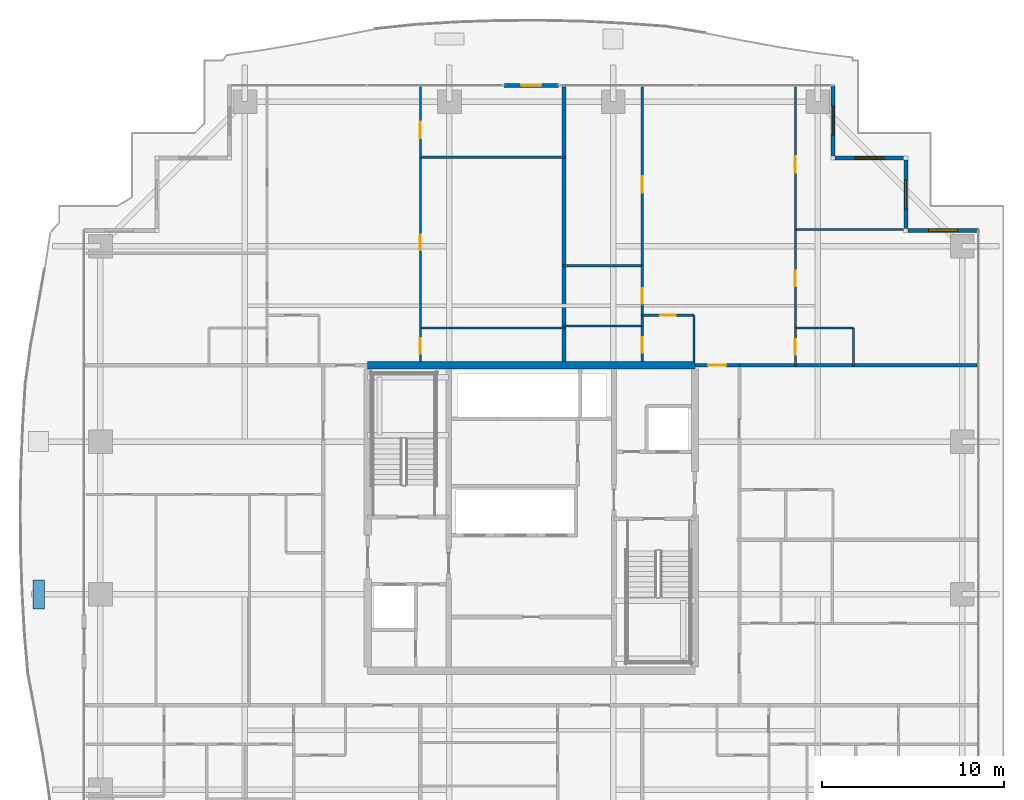
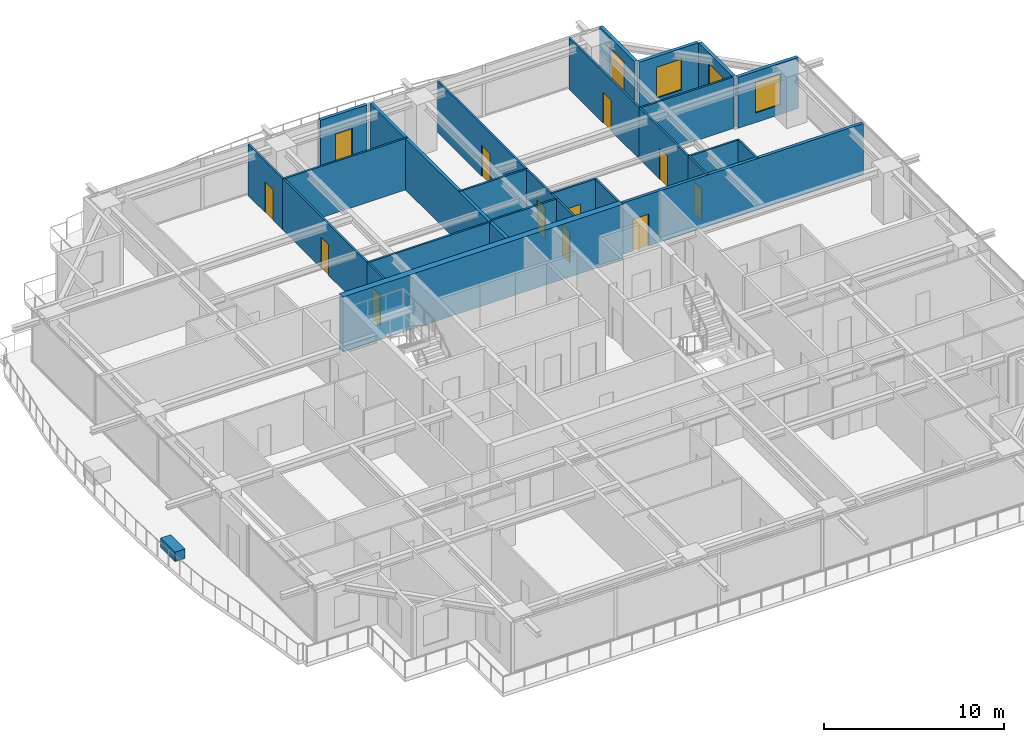
# One storey, part 31 of 38: 27 walls, 12 doors, 4 windows, 1 discrete accessory, 16 openings.
"""IFC4 building model written with IfcOpenShell, lengths in metres."""

from ifc_helpers import new_model, si_unit, direction, frame, frame_2d, origin, origin_2d, place, context, subcontext, project, spatial, rectangle, extrude, source, transform, mapped, material, layer, layer_set, type_object, element, fill, save


model = new_model("IFC4")

# Units and contexts
model_context = context("Model", 3, precision=1e-05, world=origin(), true_north=direction((0.0, 1.0)))
body_context = subcontext(model_context, "Body", "Model", "MODEL_VIEW")
ifc_project = project(units=[si_unit("LENGTHUNIT", "METRE"), si_unit("AREAUNIT", "SQUARE_METRE"), si_unit("VOLUMEUNIT", "CUBIC_METRE"), si_unit("PLANEANGLEUNIT", "RADIAN"), si_unit("MASSUNIT", "GRAM", prefix="KILO")], contexts=[model_context])

# Site, building, storey
site_placement = place(None, origin())
site = spatial("IfcSite", under=ifc_project, at=site_placement, CompositionType="ELEMENT")
building_placement = place(site_placement, origin())
building = spatial("IfcBuilding", under=site, at=building_placement, Name="Serunith Strait Residences", CompositionType="ELEMENT")
storey_placement = place(building_placement, frame((0.0, 0.0, 183.89990234375)))
storey = spatial("IfcBuildingStorey", under=building, at=storey_placement, Name="L46", CompositionType="ELEMENT", Elevation=183.89990234375)

# Wall, opening, window
ifc_material_1 = material(Name="Pale-Champagne Aluminium Insulated Panel", Category="aluminium")
ifc_layer_1 = layer(ifc_material_1, 0.219970703125, Name="Pale-Champagne Aluminium Insulated Panel")
ifc_layer_set_1 = layer_set([ifc_layer_1], Name="Pale-Champagne Aluminium Insulated Panel")
wall_type_1 = type_object("IfcWallType", Name="EW-ALUM-220", PredefinedType="ELEMENTEDWALL", material=ifc_layer_set_1)
wall_1_placement = place(storey_placement, frame((57.0, 41.0, 0.0), z_axis=(0.0, 0.0, 1.0), x_axis=(-1.0, 0.0, 0.0)))
wall_1 = element("IfcWall", 1, at=wall_1_placement, inside=storey, type_object=wall_type_1, Name="L46 Girih Serrated Corner Wall 07", PredefinedType="ELEMENTEDWALL", context=body_context, shape_type="SweptSolid", body=[
    extrude(rectangle(XDim=3.889892578125, YDim=0.219970703125, at=frame_2d((1.94482421875, 0.0))), origin(), (0.0, 0.0, 1.0), 3.47509765625),
])
opening_1_placement = place(wall_1_placement, frame((1.14501953125, 0.0, 0.64990234375)))
opening_1 = element("IfcOpeningElement", 2, at=opening_1_placement, cuts=wall_1, Name="Opening W-02", PredefinedType="OPENING", context=body_context, shape_type="SweptSolid", body=[
    extrude(rectangle(XDim=1.60009765625, YDim=2.10009765625, at=frame_2d((0.800048828125, 1.050048828125))), frame((0.0, 0.1201171875, 0.0), z_axis=(0.0, -1.0, 0.0), x_axis=(1.0, 0.0, 0.0)), (0.0, 0.0, 1.0), 0.239990234375),
])
ifc_material_2 = material(Name="Ceramic-Fritted Operable Aluminium Window Glass", Category="aluminium")
window_type = type_object("IfcWindowType", Name="WIN-C2", PartitioningType="DOUBLE_PANEL_VERTICAL", PredefinedType="WINDOW", material=ifc_material_2)
shared_shape_1 = source(origin(), body_context, "Body", "SweptSolid", [
    extrude(rectangle(XDim=1.60009765625, YDim=2.10009765625, at=frame_2d((0.800048828125, 1.050048828125))), frame((0.0, 0.030029296875, 0.0), z_axis=(0.0, -1.0, 0.0), x_axis=(1.0, 0.0, 0.0)), (0.0, 0.0, 1.0), 0.06005859375),
])
window_1_placement = place(opening_1_placement, origin())
window_1 = element("IfcWindow", 3, at=window_1_placement, inside=storey, type_object=window_type, Name="L46 Corner Operable Fritted Window 07", OverallHeight=2.10009765625, OverallWidth=1.60009765625, PartitioningType="SINGLE_PANEL", PredefinedType="WINDOW", context=body_context, shape_type="MappedRepresentation", body=[
    mapped(shared_shape_1, transform((0.0, 0.0, 0.0), scale=1.0)),
])
fill(opening_1, window_1)

wall_2_placement = place(storey_placement, frame((53.0, 41.110107421875, 0.0), z_axis=(0.0, 0.0, 1.0), x_axis=(0.0, 1.0, 0.0)))
wall_2 = element("IfcWall", 4, at=wall_2_placement, inside=storey, type_object=wall_type_1, Name="L46 Girih Serrated Corner Wall 08", PredefinedType="ELEMENTEDWALL", context=body_context, shape_type="SweptSolid", body=[
    extrude(rectangle(XDim=3.77978515625, YDim=0.219970703125, at=frame_2d((1.889892578125, 0.0))), origin(), (0.0, 0.0, 1.0), 3.47509765625),
])
opening_2_placement = place(wall_2_placement, frame((1.090087890625, 0.0, 0.64990234375)))
opening_2 = element("IfcOpeningElement", 5, at=opening_2_placement, cuts=wall_2, Name="Opening W-02", PredefinedType="OPENING", context=body_context, shape_type="SweptSolid", body=[
    extrude(rectangle(XDim=1.60009765625, YDim=2.10009765625, at=frame_2d((0.800048828125, 1.050048828125))), frame((0.0, 0.1201171875, 0.0), z_axis=(0.0, -1.0, 0.0), x_axis=(1.0, 0.0, 0.0)), (0.0, 0.0, 1.0), 0.239990234375),
])
window_2_placement = place(opening_2_placement, origin())
window_2 = element("IfcWindow", 6, at=window_2_placement, inside=storey, type_object=window_type, Name="L46 Corner Operable Fritted Window 08", OverallHeight=2.10009765625, OverallWidth=1.60009765625, PartitioningType="SINGLE_PANEL", PredefinedType="WINDOW", context=body_context, shape_type="MappedRepresentation", body=[
    mapped(shared_shape_1, transform((0.0, 0.0, 0.0), scale=1.0)),
])
fill(opening_2, window_2)

wall_3_placement = place(storey_placement, frame((52.889892578125, 45.0, 0.0), z_axis=(0.0, 0.0, 1.0), x_axis=(-1.0, 0.0, 0.0)))
wall_3 = element("IfcWall", 7, at=wall_3_placement, inside=storey, type_object=wall_type_1, Name="L46 Girih Serrated Corner Wall 09", PredefinedType="ELEMENTEDWALL", context=body_context, shape_type="SweptSolid", body=[
    extrude(rectangle(XDim=3.77978515625, YDim=0.219970703125, at=frame_2d((1.889892578125, 0.0))), origin(), (0.0, 0.0, 1.0), 3.47509765625),
])
opening_3_placement = place(wall_3_placement, frame((1.090087890625, 0.0, 0.64990234375)))
opening_3 = element("IfcOpeningElement", 8, at=opening_3_placement, cuts=wall_3, Name="Opening W-02", PredefinedType="OPENING", context=body_context, shape_type="SweptSolid", body=[
    extrude(rectangle(XDim=1.60009765625, YDim=2.10009765625, at=frame_2d((0.800048828125, 1.050048828125))), frame((0.0, 0.1201171875, 0.0), z_axis=(0.0, -1.0, 0.0), x_axis=(1.0, 0.0, 0.0)), (0.0, 0.0, 1.0), 0.239990234375),
])
window_3_placement = place(opening_3_placement, origin())
window_3 = element("IfcWindow", 9, at=window_3_placement, inside=storey, type_object=window_type, Name="L46 Corner Operable Fritted Window 09", OverallHeight=2.10009765625, OverallWidth=1.60009765625, PartitioningType="SINGLE_PANEL", PredefinedType="WINDOW", context=body_context, shape_type="MappedRepresentation", body=[
    mapped(shared_shape_1, transform((0.0, 0.0, 0.0), scale=1.0)),
])
fill(opening_3, window_3)

wall_4_placement = place(storey_placement, frame((49.0, 45.110107421875, 0.0), z_axis=(0.0, 0.0, 1.0), x_axis=(0.0, 1.0, 0.0)))
wall_4 = element("IfcWall", 10, at=wall_4_placement, inside=storey, type_object=wall_type_1, Name="L46 Girih Serrated Corner Wall 10", PredefinedType="ELEMENTEDWALL", context=body_context, shape_type="SweptSolid", body=[
    extrude(rectangle(XDim=3.889892578125, YDim=0.219970703125, at=frame_2d((1.94482421875, 0.0))), origin(), (0.0, 0.0, 1.0), 3.47509765625),
])
opening_4_placement = place(wall_4_placement, frame((1.14501953125, 0.0, 0.64990234375)))
opening_4 = element("IfcOpeningElement", 11, at=opening_4_placement, cuts=wall_4, Name="Opening W-02", PredefinedType="OPENING", context=body_context, shape_type="SweptSolid", body=[
    extrude(rectangle(XDim=1.60009765625, YDim=2.10009765625, at=frame_2d((0.800048828125, 1.050048828125))), frame((0.0, 0.1201171875, 0.0), z_axis=(0.0, -1.0, 0.0), x_axis=(1.0, 0.0, 0.0)), (0.0, 0.0, 1.0), 0.239990234375),
])
window_4_placement = place(opening_4_placement, origin())
window_4 = element("IfcWindow", 12, at=window_4_placement, inside=storey, type_object=window_type, Name="L46 Corner Operable Fritted Window 10", OverallHeight=2.10009765625, OverallWidth=1.60009765625, PartitioningType="SINGLE_PANEL", PredefinedType="WINDOW", context=body_context, shape_type="MappedRepresentation", body=[
    mapped(shared_shape_1, transform((0.0, 0.0, 0.0), scale=1.0)),
])
fill(opening_4, window_4)

# Wall, opening, door
wall_5_placement = place(storey_placement, frame((33.89990234375, 49.0, 0.0), z_axis=(0.0, 0.0, 1.0), x_axis=(-1.0, 0.0, 0.0)))
wall_5 = element("IfcWall", 13, at=wall_5_placement, inside=storey, type_object=wall_type_1, Name="L46 N Facade Pier Wall", PredefinedType="ELEMENTEDWALL", context=body_context, shape_type="SweptSolid", body=[
    extrude(rectangle(XDim=3.0, YDim=0.219970703125, at=frame_2d((1.5, 0.0))), origin(), (0.0, 0.0, 1.0), 3.47509765625),
])
opening_5_placement = place(wall_5_placement, frame((0.949951171875, 0.0, 0.0)))
opening_5 = element("IfcOpeningElement", 14, at=opening_5_placement, cuts=wall_5, Name="Opening ED-03", PredefinedType="OPENING", context=body_context, shape_type="SweptSolid", body=[
    extrude(rectangle(XDim=1.10009765625, YDim=2.199951171875, at=frame_2d((0.550048828125, 1.10009765625))), frame((0.0, 0.1201171875, 0.0), z_axis=(0.0, -1.0, 0.0), x_axis=(1.0, 0.0, 0.0)), (0.0, 0.0, 1.0), 0.239990234375),
])
ifc_material_3 = material(Name="Thermally-Broken Aluminium Glazed Balcony Door", Category="aluminium")
door_type_1 = type_object("IfcDoorType", Name="ED-BALC-1100", OperationType="NOTDEFINED", PredefinedType="DOOR", material=ifc_material_3)
shared_shape_2 = source(origin(), body_context, "Body", "SweptSolid", [
    extrude(rectangle(XDim=1.10009765625, YDim=2.199951171875, at=frame_2d((0.550048828125, 1.10009765625))), frame((0.0, 0.02490234375, 0.0), z_axis=(0.0, -1.0, 0.0), x_axis=(1.0, 0.0, 0.0)), (0.0, 0.0, 1.0), 0.050048828125),
])
door_1_placement = place(opening_5_placement, origin())
door_1 = element("IfcDoor", 15, at=door_1_placement, inside=storey, type_object=door_type_1, Name="L46 N Vertical-Forest Balcony Door", OperationType="SINGLE_SWING_RIGHT", OverallHeight=2.199951171875, OverallWidth=1.10009765625, PredefinedType="DOOR", context=body_context, shape_type="MappedRepresentation", body=[
    mapped(shared_shape_2, transform((0.0, 0.0, 0.0), scale=1.0)),
])
fill(opening_5, door_1)

ifc_material_4 = material(Name="Fire-rated acoustic gypsum partition")
ifc_layer_2 = layer(ifc_material_4, 0.179931640625, Name="Fire-rated acoustic gypsum partition")
ifc_layer_set_2 = layer_set([ifc_layer_2], Name="Fire-rated acoustic gypsum partition")
wall_type_2 = type_object("IfcWallType", Name="IW-CORR-180", PredefinedType="PARTITIONING", material=ifc_layer_set_2)
wall_6_placement = place(storey_placement, frame((41.402099609375, 33.60009765625, 0.0), z_axis=(0.0, 0.0, 1.0), x_axis=(1.0, 0.0, 0.0)))
wall_6 = element("IfcWall", 16, at=wall_6_placement, inside=storey, type_object=wall_type_2, Name="L46 Partition Wall 027", PredefinedType="PARTITIONING", context=body_context, shape_type="SweptSolid", body=[
    extrude(rectangle(XDim=2.44580078125, YDim=0.179931640625, at=frame_2d((1.222900390625, 0.0))), origin(), (0.0, 0.0, 1.0), 3.489990234375),
])
opening_6_placement = place(wall_6_placement, frame((0.722900390625, 0.0, 0.0)))
opening_6 = element("IfcOpeningElement", 17, at=opening_6_placement, cuts=wall_6, Name="Opening D-APT1000", PredefinedType="OPENING", context=body_context, shape_type="SweptSolid", body=[
    extrude(rectangle(XDim=1.0, YDim=2.14990234375, at=frame_2d((0.5, 1.074951171875))), frame((0.0, 0.10009765625, 0.0), z_axis=(0.0, -1.0, 0.0), x_axis=(1.0, 0.0, 0.0)), (0.0, 0.0, 1.0), 0.199951171875),
])
ifc_material_5 = material(Name="Solid timber engineered fire door", Category="wood")
door_type_2 = type_object("IfcDoorType", Name="ID-APT-1000", OperationType="NOTDEFINED", PredefinedType="DOOR", material=ifc_material_5)
shared_shape_3 = source(origin(), body_context, "Body", "SweptSolid", [
    extrude(rectangle(XDim=1.0, YDim=2.14990234375, at=frame_2d((0.5, 1.074951171875))), frame((0.0, 0.02490234375, 0.0), z_axis=(0.0, -1.0, 0.0), x_axis=(1.0, 0.0, 0.0)), (0.0, 0.0, 1.0), 0.050048828125),
])
door_2_placement = place(opening_6_placement, origin())
door_2 = element("IfcDoor", 18, at=door_2_placement, inside=storey, type_object=door_type_2, Name="L46 Unit 05 Entrance Door", OperationType="SINGLE_SWING_RIGHT", OverallHeight=2.14990234375, OverallWidth=1.0, PredefinedType="DOOR", context=body_context, shape_type="MappedRepresentation", body=[
    mapped(shared_shape_3, transform((0.0, 0.0, 0.0), scale=1.0)),
])
fill(opening_6, door_2)

ifc_material_6 = material(Name="Lightweight steel-stud gypsum partition", Category="steel")
ifc_layer_3 = layer(ifc_material_6, 0.1201171875, Name="Lightweight steel-stud gypsum partition")
ifc_layer_set_3 = layer_set([ifc_layer_3], Name="Lightweight steel-stud gypsum partition")
wall_type_3 = type_object("IfcWallType", Name="IW-PART-120", PredefinedType="PARTITIONING", material=ifc_layer_set_3)
wall_7_placement = place(storey_placement, frame((26.300048828125, 48.905029296875, 0.0), z_axis=(0.0, 0.0, 1.0), x_axis=(0.0, -1.0, 0.0)))
wall_7 = element("IfcWall", 19, at=wall_7_placement, inside=storey, type_object=wall_type_3, Name="L46 Partition Wall 073", PredefinedType="PARTITIONING", context=body_context, shape_type="SweptSolid", body=[
    extrude(rectangle(XDim=3.867919921875, YDim=0.1201171875, at=frame_2d((1.93408203125, 0.0))), origin(), (0.0, 0.0, 1.0), 3.489990234375),
])
opening_7_placement = place(wall_7_placement, frame((1.912109375, 0.0, 0.0)))
opening_7 = element("IfcOpeningElement", 20, at=opening_7_placement, cuts=wall_7, Name="Opening D-RM900", PredefinedType="OPENING", context=body_context, shape_type="SweptSolid", body=[
    extrude(rectangle(XDim=0.89990234375, YDim=2.10009765625, at=frame_2d((0.449951171875, 1.050048828125))), frame((0.0, 0.070068359375, 0.0), z_axis=(0.0, -1.0, 0.0), x_axis=(1.0, 0.0, 0.0)), (0.0, 0.0, 1.0), 0.14013671875),
])
ifc_material_7 = material(Name="Engineered timber flush bedroom door", Category="wood")
door_type_3 = type_object("IfcDoorType", Name="ID-ROOM-900", OperationType="NOTDEFINED", PredefinedType="DOOR", material=ifc_material_7)
shared_shape_4 = source(origin(), body_context, "Body", "SweptSolid", [
    extrude(rectangle(XDim=0.89990234375, YDim=2.10009765625, at=frame_2d((0.449951171875, 1.050048828125))), frame((0.0, 0.02490234375, 0.0), z_axis=(0.0, -1.0, 0.0), x_axis=(1.0, 0.0, 0.0)), (0.0, 0.0, 1.0), 0.050048828125),
])
door_3_placement = place(opening_7_placement, origin())
door_3 = element("IfcDoor", 21, at=door_3_placement, inside=storey, type_object=door_type_3, Name="L46 Bedroom 2 4604 Door", OperationType="SINGLE_SWING_LEFT", OverallHeight=2.10009765625, OverallWidth=0.89990234375, PredefinedType="DOOR", context=body_context, shape_type="MappedRepresentation", body=[
    mapped(shared_shape_4, transform((0.0, 0.0, 0.0), scale=1.0)),
])
fill(opening_7, door_3)

# Walls
for number, where, z_axis, x_axis, name in (
    (22, (26.300048828125, 45.037109375, 0.0), (0.0, 0.0, 1.0), (1.0, 0.0, 0.0), "L46 Partition Wall 074"),
    (23, (26.300048828125, 35.64990234375, 0.0), (0.0, 0.0, 1.0), (1.0, 0.0, 0.0), "L46 Partition Wall 075"),
):
    element("IfcWall", number, at=place(storey_placement, frame(where, z_axis=z_axis, x_axis=x_axis)), inside=storey, type_object=wall_type_3, Name=name, PredefinedType="PARTITIONING", context=body_context, shape_type="SweptSolid", body=[
        extrude(rectangle(XDim=7.9599609375, YDim=0.1201171875, at=frame_2d((3.97998046875, 0.0))), origin(), (0.0, 0.0, 1.0), 3.489990234375),
    ])

# Wall, opening, door
wall_8_placement = place(storey_placement, frame((26.300048828125, 45.034912109375, 0.0), z_axis=(0.0, 0.0, 1.0), x_axis=(0.0, -1.0, 0.0)))
wall_8 = element("IfcWall", 24, at=wall_8_placement, inside=storey, type_object=wall_type_3, Name="L46 Partition Wall 076", PredefinedType="PARTITIONING", context=body_context, shape_type="SweptSolid", body=[
    extrude(rectangle(XDim=9.385009765625, YDim=0.1201171875, at=frame_2d((4.6923828125, 0.0))), origin(), (0.0, 0.0, 1.0), 3.489990234375),
])
opening_8_placement = place(wall_8_placement, frame((4.26708984375, 0.0, 0.0)))
opening_8 = element("IfcOpeningElement", 25, at=opening_8_placement, cuts=wall_8, Name="Opening D-RM850", PredefinedType="OPENING", context=body_context, shape_type="SweptSolid", body=[
    extrude(rectangle(XDim=0.85009765625, YDim=2.10009765625, at=frame_2d((0.425048828125, 1.050048828125))), frame((0.0, 0.070068359375, 0.0), z_axis=(0.0, -1.0, 0.0), x_axis=(1.0, 0.0, 0.0)), (0.0, 0.0, 1.0), 0.14013671875),
])
ifc_material_8 = material(Name="Engineered timber flush study and kitchen door", Category="wood")
door_type_4 = type_object("IfcDoorType", Name="ID-ROOM-850", OperationType="NOTDEFINED", PredefinedType="DOOR", material=ifc_material_8)
shared_shape_5 = source(origin(), body_context, "Body", "SweptSolid", [
    extrude(rectangle(XDim=0.85009765625, YDim=2.10009765625, at=frame_2d((0.425048828125, 1.050048828125))), frame((0.0, 0.02490234375, 0.0), z_axis=(0.0, -1.0, 0.0), x_axis=(1.0, 0.0, 0.0)), (0.0, 0.0, 1.0), 0.050048828125),
])
door_4_placement = place(opening_8_placement, origin())
door_4 = element("IfcDoor", 26, at=door_4_placement, inside=storey, type_object=door_type_4, Name="L46 Walk-in Wardrobe 4604 Door", OperationType="SINGLE_SWING_RIGHT", OverallHeight=2.10009765625, OverallWidth=0.85009765625, PredefinedType="DOOR", context=body_context, shape_type="MappedRepresentation", body=[
    mapped(shared_shape_5, transform((0.0, 0.0, 0.0), scale=1.0)),
])
fill(opening_8, door_4)

wall_9_placement = place(storey_placement, frame((26.300048828125, 35.64794921875, 0.0), z_axis=(0.0, 0.0, 1.0), x_axis=(0.0, -1.0, 0.0)))
wall_9 = element("IfcWall", 27, at=wall_9_placement, inside=storey, type_object=wall_type_3, Name="L46 Partition Wall 077", PredefinedType="PARTITIONING", context=body_context, shape_type="SweptSolid", body=[
    extrude(rectangle(XDim=1.847900390625, YDim=0.1201171875, at=frame_2d((0.923828125, 0.0))), origin(), (0.0, 0.0, 1.0), 3.489990234375),
])
opening_9_placement = place(wall_9_placement, frame((0.569091796875, 0.0, 0.0)))
opening_9 = element("IfcOpeningElement", 28, at=opening_9_placement, cuts=wall_9, Name="Opening D-BTH850", PredefinedType="OPENING", context=body_context, shape_type="SweptSolid", body=[
    extrude(rectangle(XDim=0.85009765625, YDim=2.10009765625, at=frame_2d((0.425048828125, 1.050048828125))), frame((0.0, 0.070068359375, 0.0), z_axis=(0.0, -1.0, 0.0), x_axis=(1.0, 0.0, 0.0)), (0.0, 0.0, 1.0), 0.14013671875),
])
ifc_material_9 = material(Name="Moisture-resistant timber bathroom door", Category="wood")
door_type_5 = type_object("IfcDoorType", Name="ID-BATH-850", OperationType="NOTDEFINED", PredefinedType="DOOR", material=ifc_material_9)
door_5_placement = place(opening_9_placement, origin())
door_5 = element("IfcDoor", 29, at=door_5_placement, inside=storey, type_object=door_type_5, Name="L46 Bathroom 4604 Door", OperationType="SINGLE_SWING_LEFT", OverallHeight=2.10009765625, OverallWidth=0.85009765625, PredefinedType="DOOR", context=body_context, shape_type="MappedRepresentation", body=[
    mapped(shared_shape_5, transform((0.0, 0.0, 0.0), scale=1.0)),
])
fill(opening_9, door_5)

wall_10_placement = place(storey_placement, frame((38.5, 36.35009765625, 0.0), z_axis=(0.0, 0.0, 1.0), x_axis=(1.0, 0.0, 0.0)))
wall_10 = element("IfcWall", 30, at=wall_10_placement, inside=storey, type_object=wall_type_3, Name="L46 Partition Wall 078", PredefinedType="PARTITIONING", context=body_context, shape_type="SweptSolid", body=[
    extrude(rectangle(XDim=2.85009765625, YDim=0.1201171875, at=frame_2d((1.425048828125, 0.0))), origin(), (0.0, 0.0, 1.0), 3.489990234375),
])
opening_10_placement = place(wall_10_placement, frame((1.0, 0.0, 0.0)))
opening_10 = element("IfcOpeningElement", 31, at=opening_10_placement, cuts=wall_10, Name="Opening D-RM850", PredefinedType="OPENING", context=body_context, shape_type="SweptSolid", body=[
    extrude(rectangle(XDim=0.85009765625, YDim=2.10009765625, at=frame_2d((0.425048828125, 1.050048828125))), frame((0.0, 0.070068359375, 0.0), z_axis=(0.0, -1.0, 0.0), x_axis=(1.0, 0.0, 0.0)), (0.0, 0.0, 1.0), 0.14013671875),
])
door_6_placement = place(opening_10_placement, origin())
door_6 = element("IfcDoor", 32, at=door_6_placement, inside=storey, type_object=door_type_4, Name="L46 Kitchen 4605 Door", OperationType="SINGLE_SWING_RIGHT", OverallHeight=2.10009765625, OverallWidth=0.85009765625, PredefinedType="DOOR", context=body_context, shape_type="MappedRepresentation", body=[
    mapped(shared_shape_5, transform((0.0, 0.0, 0.0), scale=1.0)),
])
fill(opening_10, door_6)

# Wall
wall_11_placement = place(storey_placement, frame((41.35009765625, 36.35009765625, 0.0), z_axis=(0.0, 0.0, 1.0), x_axis=(0.0, -1.0, 0.0)))
element("IfcWall", 33, at=wall_11_placement, inside=storey, type_object=wall_type_3, Name="L46 Partition Wall 079", PredefinedType="PARTITIONING", context=body_context, shape_type="SweptSolid", body=[
    extrude(rectangle(XDim=2.550048828125, YDim=0.1201171875, at=frame_2d((1.27490234375, 0.0))), origin(), (0.0, 0.0, 1.0), 3.489990234375),
])

# Wall, opening, door
wall_12_placement = place(storey_placement, frame((38.5, 48.905029296875, 0.0), z_axis=(0.0, 0.0, 1.0), x_axis=(0.0, -1.0, 0.0)))
wall_12 = element("IfcWall", 34, at=wall_12_placement, inside=storey, type_object=wall_type_3, Name="L46 Partition Wall 080", PredefinedType="PARTITIONING", context=body_context, shape_type="SweptSolid", body=[
    extrude(rectangle(XDim=9.828125, YDim=0.1201171875, at=frame_2d((4.9140625, 0.0))), origin(), (0.0, 0.0, 1.0), 3.489990234375),
])
opening_11_placement = place(wall_12_placement, frame((4.909912109375, 0.0, 0.0)))
opening_11 = element("IfcOpeningElement", 35, at=opening_11_placement, cuts=wall_12, Name="Opening D-RM900", PredefinedType="OPENING", context=body_context, shape_type="SweptSolid", body=[
    extrude(rectangle(XDim=0.89990234375, YDim=2.10009765625, at=frame_2d((0.449951171875, 1.050048828125))), frame((0.0, 0.070068359375, 0.0), z_axis=(0.0, -1.0, 0.0), x_axis=(1.0, 0.0, 0.0)), (0.0, 0.0, 1.0), 0.14013671875),
])
door_7_placement = place(opening_11_placement, origin())
door_7 = element("IfcDoor", 36, at=door_7_placement, inside=storey, type_object=door_type_3, Name="L46 Master Bedroom 1 4605 Door", OperationType="SINGLE_SWING_LEFT", OverallHeight=2.10009765625, OverallWidth=0.89990234375, PredefinedType="DOOR", context=body_context, shape_type="MappedRepresentation", body=[
    mapped(shared_shape_4, transform((0.0, 0.0, 0.0), scale=1.0)),
])
fill(opening_11, door_7)

# Walls
wall_13_placement = place(storey_placement, frame((34.139892578125, 39.076904296875, 0.0), z_axis=(0.0, 0.0, 1.0), x_axis=(1.0, 0.0, 0.0)))
element("IfcWall", 37, at=wall_13_placement, inside=storey, type_object=wall_type_3, Name="L46 Partition Wall 081", PredefinedType="PARTITIONING", context=body_context, shape_type="SweptSolid", body=[
    extrude(rectangle(XDim=4.360107421875, YDim=0.1201171875, at=frame_2d((2.18017578125, 0.0))), origin(), (0.0, 0.0, 1.0), 3.489990234375),
])
wall_14_placement = place(storey_placement, frame((34.261962890625, 35.7509765625, 0.0), z_axis=(0.0, 0.0, 1.0), x_axis=(1.0, 0.0, 0.0)))
element("IfcWall", 38, at=wall_14_placement, inside=storey, type_object=wall_type_3, Name="L46 Partition Wall 082", PredefinedType="PARTITIONING", context=body_context, shape_type="SweptSolid", body=[
    extrude(rectangle(XDim=4.238037109375, YDim=0.1201171875, at=frame_2d((2.119140625, 0.0))), origin(), (0.0, 0.0, 1.0), 3.489990234375),
])

# Wall, opening, door
wall_15_placement = place(storey_placement, frame((38.5, 39.074951171875, 0.0), z_axis=(0.0, 0.0, 1.0), x_axis=(0.0, -1.0, 0.0)))
wall_15 = element("IfcWall", 39, at=wall_15_placement, inside=storey, type_object=wall_type_3, Name="L46 Partition Wall 083", PredefinedType="PARTITIONING", context=body_context, shape_type="SweptSolid", body=[
    extrude(rectangle(XDim=3.323974609375, YDim=0.1201171875, at=frame_2d((1.662109375, 0.0))), origin(), (0.0, 0.0, 1.0), 3.489990234375),
])
opening_12_placement = place(wall_15_placement, frame((1.237060546875, 0.0, 0.0)))
opening_12 = element("IfcOpeningElement", 40, at=opening_12_placement, cuts=wall_15, Name="Opening D-RM850", PredefinedType="OPENING", context=body_context, shape_type="SweptSolid", body=[
    extrude(rectangle(XDim=0.85009765625, YDim=2.10009765625, at=frame_2d((0.425048828125, 1.050048828125))), frame((0.0, 0.070068359375, 0.0), z_axis=(0.0, -1.0, 0.0), x_axis=(1.0, 0.0, 0.0)), (0.0, 0.0, 1.0), 0.14013671875),
])
door_8_placement = place(opening_12_placement, origin())
door_8 = element("IfcDoor", 41, at=door_8_placement, inside=storey, type_object=door_type_4, Name="L46 Walk-in Wardrobe 4605 Door", OperationType="SINGLE_SWING_RIGHT", OverallHeight=2.10009765625, OverallWidth=0.85009765625, PredefinedType="DOOR", context=body_context, shape_type="MappedRepresentation", body=[
    mapped(shared_shape_5, transform((0.0, 0.0, 0.0), scale=1.0)),
])
fill(opening_12, door_8)

wall_16_placement = place(storey_placement, frame((38.5, 35.7490234375, 0.0), z_axis=(0.0, 0.0, 1.0), x_axis=(0.0, -1.0, 0.0)))
wall_16 = element("IfcWall", 42, at=wall_16_placement, inside=storey, type_object=wall_type_3, Name="L46 Partition Wall 084", PredefinedType="PARTITIONING", context=body_context, shape_type="SweptSolid", body=[
    extrude(rectangle(XDim=1.948974609375, YDim=0.1201171875, at=frame_2d((0.974609375, 0.0))), origin(), (0.0, 0.0, 1.0), 3.489990234375),
])
opening_13_placement = place(wall_16_placement, frame((0.6220703125, 0.0, 0.0)))
opening_13 = element("IfcOpeningElement", 43, at=opening_13_placement, cuts=wall_16, Name="Opening D-BTH850", PredefinedType="OPENING", context=body_context, shape_type="SweptSolid", body=[
    extrude(rectangle(XDim=0.85009765625, YDim=2.10009765625, at=frame_2d((0.425048828125, 1.050048828125))), frame((0.0, 0.070068359375, 0.0), z_axis=(0.0, -1.0, 0.0), x_axis=(1.0, 0.0, 0.0)), (0.0, 0.0, 1.0), 0.14013671875),
])
door_9_placement = place(opening_13_placement, origin())
door_9 = element("IfcDoor", 44, at=door_9_placement, inside=storey, type_object=door_type_5, Name="L46 Bathroom 4605 Door", OperationType="SINGLE_SWING_LEFT", OverallHeight=2.10009765625, OverallWidth=0.85009765625, PredefinedType="DOOR", context=body_context, shape_type="MappedRepresentation", body=[
    mapped(shared_shape_5, transform((0.0, 0.0, 0.0), scale=1.0)),
])
fill(opening_13, door_9)

wall_17_placement = place(storey_placement, frame((46.929931640625, 48.905029296875, 0.0), z_axis=(0.0, 0.0, 1.0), x_axis=(0.0, -1.0, 0.0)))
wall_17 = element("IfcWall", 45, at=wall_17_placement, inside=storey, type_object=wall_type_3, Name="L46 Partition Wall 085", PredefinedType="PARTITIONING", context=body_context, shape_type="SweptSolid", body=[
    extrude(rectangle(XDim=7.830078125, YDim=0.1201171875, at=frame_2d((3.9150390625, 0.0))), origin(), (0.0, 0.0, 1.0), 3.489990234375),
])
opening_14_placement = place(wall_17_placement, frame((3.81103515625, 0.0, 0.0)))
opening_14 = element("IfcOpeningElement", 46, at=opening_14_placement, cuts=wall_17, Name="Opening D-RM900", PredefinedType="OPENING", context=body_context, shape_type="SweptSolid", body=[
    extrude(rectangle(XDim=0.89990234375, YDim=2.10009765625, at=frame_2d((0.449951171875, 1.050048828125))), frame((0.0, 0.070068359375, 0.0), z_axis=(0.0, -1.0, 0.0), x_axis=(1.0, 0.0, 0.0)), (0.0, 0.0, 1.0), 0.14013671875),
])
door_10_placement = place(opening_14_placement, origin())
door_10 = element("IfcDoor", 47, at=door_10_placement, inside=storey, type_object=door_type_3, Name="L46 Bedroom 2 4605 Door", OperationType="SINGLE_SWING_RIGHT", OverallHeight=2.10009765625, OverallWidth=0.89990234375, PredefinedType="DOOR", context=body_context, shape_type="MappedRepresentation", body=[
    mapped(shared_shape_4, transform((0.0, 0.0, 0.0), scale=1.0)),
])
fill(opening_14, door_10)

# Walls
wall_18_placement = place(storey_placement, frame((46.929931640625, 41.074951171875, 0.0), z_axis=(0.0, 0.0, 1.0), x_axis=(1.0, 0.0, 0.0)))
element("IfcWall", 48, at=wall_18_placement, inside=storey, type_object=wall_type_3, Name="L46 Partition Wall 086", PredefinedType="PARTITIONING", context=body_context, shape_type="SweptSolid", body=[
    extrude(rectangle(XDim=5.97509765625, YDim=0.1201171875, at=frame_2d((2.987548828125, 0.0))), origin(), (0.0, 0.0, 1.0), 3.489990234375),
])
wall_19_placement = place(storey_placement, frame((46.929931640625, 35.64990234375, 0.0), z_axis=(0.0, 0.0, 1.0), x_axis=(1.0, 0.0, 0.0)))
element("IfcWall", 49, at=wall_19_placement, inside=storey, type_object=wall_type_3, Name="L46 Partition Wall 087", PredefinedType="PARTITIONING", context=body_context, shape_type="SweptSolid", body=[
    extrude(rectangle(XDim=3.199951171875, YDim=0.1201171875, at=frame_2d((1.60009765625, 0.0))), origin(), (0.0, 0.0, 1.0), 3.489990234375),
])
wall_20_placement = place(storey_placement, frame((50.1298828125, 35.64990234375, 0.0), z_axis=(0.0, 0.0, 1.0), x_axis=(0.0, -1.0, 0.0)))
element("IfcWall", 50, at=wall_20_placement, inside=storey, type_object=wall_type_3, Name="L46 Partition Wall 088", PredefinedType="PARTITIONING", context=body_context, shape_type="SweptSolid", body=[
    extrude(rectangle(XDim=2.10986328125, YDim=0.1201171875, at=frame_2d((1.054931640625, 0.0))), origin(), (0.0, 0.0, 1.0), 3.489990234375),
])

# Wall, opening, door
wall_21_placement = place(storey_placement, frame((46.929931640625, 41.072998046875, 0.0), z_axis=(0.0, 0.0, 1.0), x_axis=(0.0, -1.0, 0.0)))
wall_21 = element("IfcWall", 51, at=wall_21_placement, inside=storey, type_object=wall_type_3, Name="L46 Partition Wall 089", PredefinedType="PARTITIONING", context=body_context, shape_type="SweptSolid", body=[
    extrude(rectangle(XDim=5.423095703125, YDim=0.1201171875, at=frame_2d((2.71142578125, 0.0))), origin(), (0.0, 0.0, 1.0), 3.489990234375),
])
opening_15_placement = place(wall_21_placement, frame((2.287109375, 0.0, 0.0)))
opening_15 = element("IfcOpeningElement", 52, at=opening_15_placement, cuts=wall_21, Name="Opening D-RM850", PredefinedType="OPENING", context=body_context, shape_type="SweptSolid", body=[
    extrude(rectangle(XDim=0.85009765625, YDim=2.10009765625, at=frame_2d((0.425048828125, 1.050048828125))), frame((0.0, 0.070068359375, 0.0), z_axis=(0.0, -1.0, 0.0), x_axis=(1.0, 0.0, 0.0)), (0.0, 0.0, 1.0), 0.14013671875),
])
door_11_placement = place(opening_15_placement, origin())
door_11 = element("IfcDoor", 53, at=door_11_placement, inside=storey, type_object=door_type_4, Name="L46 Walk-in Wardrobe 4605 Door", OperationType="SINGLE_SWING_LEFT", OverallHeight=2.10009765625, OverallWidth=0.85009765625, PredefinedType="DOOR", context=body_context, shape_type="MappedRepresentation", body=[
    mapped(shared_shape_5, transform((0.0, 0.0, 0.0), scale=1.0)),
])
fill(opening_15, door_11)

wall_22_placement = place(storey_placement, frame((46.929931640625, 35.64794921875, 0.0), z_axis=(0.0, 0.0, 1.0), x_axis=(0.0, -1.0, 0.0)))
wall_22 = element("IfcWall", 54, at=wall_22_placement, inside=storey, type_object=wall_type_3, Name="L46 Partition Wall 090", PredefinedType="PARTITIONING", context=body_context, shape_type="SweptSolid", body=[
    extrude(rectangle(XDim=2.10791015625, YDim=0.1201171875, at=frame_2d((1.053955078125, 0.0))), origin(), (0.0, 0.0, 1.0), 3.489990234375),
])
opening_16_placement = place(wall_22_placement, frame((0.62890625, 0.0, 0.0)))
opening_16 = element("IfcOpeningElement", 55, at=opening_16_placement, cuts=wall_22, Name="Opening D-BTH850", PredefinedType="OPENING", context=body_context, shape_type="SweptSolid", body=[
    extrude(rectangle(XDim=0.85009765625, YDim=2.10009765625, at=frame_2d((0.425048828125, 1.050048828125))), frame((0.0, 0.070068359375, 0.0), z_axis=(0.0, -1.0, 0.0), x_axis=(1.0, 0.0, 0.0)), (0.0, 0.0, 1.0), 0.14013671875),
])
door_12_placement = place(opening_16_placement, origin())
door_12 = element("IfcDoor", 56, at=door_12_placement, inside=storey, type_object=door_type_5, Name="L46 Bathroom 4605 Door", OperationType="SINGLE_SWING_RIGHT", OverallHeight=2.10009765625, OverallWidth=0.85009765625, PredefinedType="DOOR", context=body_context, shape_type="MappedRepresentation", body=[
    mapped(shared_shape_5, transform((0.0, 0.0, 0.0), scale=1.0)),
])
fill(opening_16, door_12)

# Walls
ifc_material_10 = material(Name="Twin-stud acoustic gypsum board partition")
ifc_layer_4 = layer(ifc_material_10, 0.199951171875, Name="Twin-stud acoustic gypsum board partition")
ifc_layer_set_4 = layer_set([ifc_layer_4], Name="Twin-stud acoustic gypsum board partition")
wall_type_4 = type_object("IfcWallType", Name="IW-PARTY-200", PredefinedType="PARTITIONING", material=ifc_layer_set_4)
wall_23_placement = place(storey_placement, frame((34.199951171875, 33.800048828125, 0.0), z_axis=(0.0, 0.0, 1.0), x_axis=(0.0, 1.0, 0.0)))
element("IfcWall", 57, at=wall_23_placement, inside=storey, type_object=wall_type_4, Name="L46 Partition Wall 017", PredefinedType="PARTITIONING", context=body_context, shape_type="SweptSolid", body=[
    extrude(rectangle(XDim=15.117919921875, YDim=0.199951171875, at=frame_2d((7.55908203125, 0.0))), origin(), (0.0, 0.0, 1.0), 3.489990234375),
])
wall_24_placement = place(storey_placement, frame((43.85009765625, 33.60009765625, 0.0), z_axis=(0.0, 0.0, 1.0), x_axis=(1.0, 0.0, 0.0)))
element("IfcWall", 58, at=wall_24_placement, inside=storey, type_object=wall_type_4, Name="L46 Partition Wall 022", PredefinedType="PARTITIONING", context=body_context, shape_type="SweptSolid", body=[
    extrude(rectangle(XDim=13.06787109375, YDim=0.199951171875, at=frame_2d((6.533935546875, 0.0))), origin(), (0.0, 0.0, 1.0), 3.489990234375),
])
ifc_material_11 = material(Name="Concrete C70/85", Category="concrete")
ifc_layer_5 = layer(ifc_material_11, 0.39990234375, Name="Concrete C70/85")
ifc_layer_set_5 = layer_set([ifc_layer_5], Name="Concrete C70/85")
wall_type_5 = type_object("IfcWallType", Name="SW-400-C70", PredefinedType="SHEAR", material=ifc_layer_set_5)
wall_25_placement = place(storey_placement, frame((41.39990234375, 33.60009765625, -0.260009765625), z_axis=(0.0, 0.0, 1.0), x_axis=(-1.0, 0.0, 0.0)))
element("IfcWall", 59, at=wall_25_placement, inside=storey, type_object=wall_type_5, Name="L46 Core North Shear Wall", PredefinedType="SHEAR", context=body_context, shape_type="SweptSolid", body=[
    extrude(rectangle(XDim=18.0, YDim=0.39990234375, at=frame_2d((9.0, 0.0))), origin(), (0.0, 0.0, 1.0), 3.748046875),
])

# Discrete accessory
ifc_material_12 = material(Name="GFRC Irrigated Shrub Trough Planter")
discrete_accessory_type = type_object("IfcDiscreteAccessoryType", Name="ACC-PLANTER-SHRUB", PredefinedType="USERDEFINED", material=ifc_material_12)
shared_shape_6 = source(origin(), body_context, "Body", "SweptSolid", [
    extrude(rectangle(XDim=1.60009765625, YDim=0.64990234375, at=origin_2d()), origin(), (0.0, 0.0, 1.0), 0.64990234375),
])
discrete_accessory_placement = place(storey_placement, frame((5.304443359375, 21.0, -0.0498046875), z_axis=(0.0, 0.0, 1.0), x_axis=(0.0, -1.0, 0.0)))
element("IfcDiscreteAccessory", 60, at=discrete_accessory_placement, inside=storey, type_object=discrete_accessory_type, Name="L46 Vertical-Forest Shrub Planter 14", ObjectType="PLANTER", PredefinedType="USERDEFINED", context=body_context, shape_type="MappedRepresentation", body=[
    mapped(shared_shape_6, transform((0.0, 0.0, 0.0), scale=1.0)),
])

save(model, "model.ifc")
